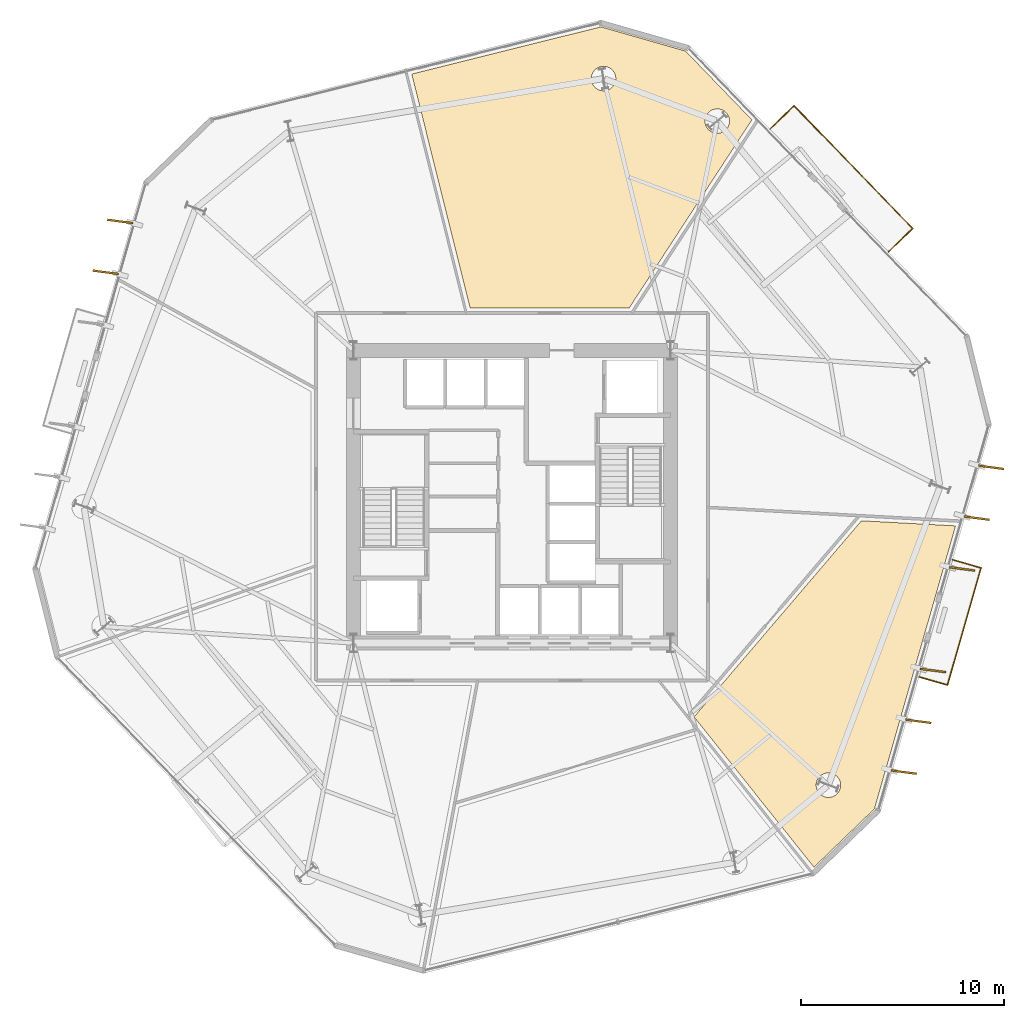
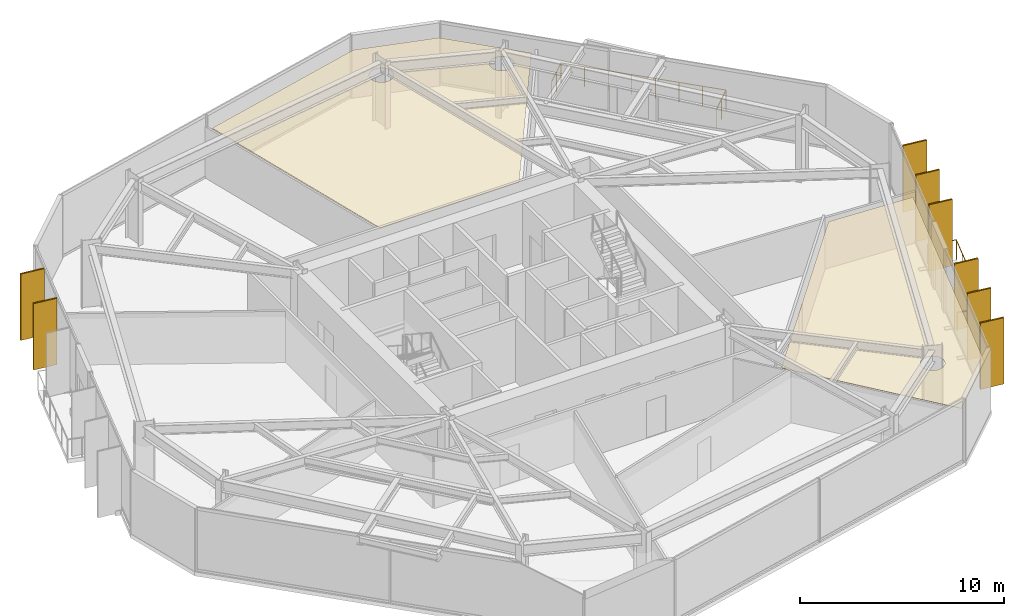
# One storey, part 10 of 10: 10 coverings, 8 shading devices, 2 railings.
"""IFC4 building model written with IfcOpenShell, lengths in metres."""

from ifc_helpers import new_model, si_unit, direction, frame, origin, origin_2d, place, context, subcontext, project, spatial, polyline, rectangle, circle, outline, extrude, material, layer, layer_set, type_object, element, save


model = new_model("IFC4")

# Units and contexts
model_context = context("Model", 3, precision=1e-05, world=origin(), true_north=direction((0.0, 1.0)))
body_context = subcontext(model_context, "Body", "Model", "MODEL_VIEW")
ifc_project = project(units=[si_unit("LENGTHUNIT", "METRE"), si_unit("AREAUNIT", "SQUARE_METRE"), si_unit("VOLUMEUNIT", "CUBIC_METRE"), si_unit("PLANEANGLEUNIT", "RADIAN"), si_unit("MASSUNIT", "GRAM", prefix="KILO")], contexts=[model_context])

# Site, building, storey
site_placement = place(None, origin())
site = spatial("IfcSite", under=ifc_project, at=site_placement, CompositionType="ELEMENT")
building_placement = place(site_placement, origin())
building = spatial("IfcBuilding", under=site, at=building_placement, Name="Kranzbogen Civic Tower", CompositionType="ELEMENT")
storey_placement = place(building_placement, frame((0.0, 0.0, 76.0)))
storey = spatial("IfcBuildingStorey", under=building, at=storey_placement, Name="L18", CompositionType="ELEMENT", Elevation=76.0)

# Coverings
ifc_material_1 = material(Name="Pale Anodised Aluminium", Category="aluminium")
ifc_layer_1 = layer(ifc_material_1, 0.02490234375, Name="Pale Anodised Aluminium")
ifc_layer_set_1 = layer_set([ifc_layer_1], Name="Pale Anodised Aluminium")
covering_type_1 = type_object("IfcCoveringType", Name="Anodised Aluminium Vertical Fin Cladding 25 mm", PredefinedType="CLADDING", material=ifc_layer_set_1)
for number, where, z_axis, x_axis, name in (
    (1, (5.718994140625, 38.547119140625, -0.139892578125), (0.0, 0.0, 1.0), (-0.991553862811, 0.129695555608, 0.0), "L18 vertical fin pale-metal cladding F3-1"),
    (2, (5.001953125, 36.047119140625, -0.139892578125), (0.0, 0.0, 1.0), (-0.991553862811, 0.129695555608, 0.0), "L18 vertical fin pale-metal cladding F3-2"),
    (3, (44.281005859375, 11.452880859375, -0.139892578125), (0.0, 0.0, 1.0), (0.991553862811, -0.129695555608, 0.0), "L18 vertical fin pale-metal cladding F6-1"),
    (4, (44.998046875, 13.952880859375, -0.139892578125), (0.0, 0.0, 1.0), (0.991553862811, -0.129695555608, 0.0), "L18 vertical fin pale-metal cladding F6-2"),
    (5, (45.714111328125, 16.451904296875, -0.139892578125), (0.0, 0.0, 1.0), (0.991553862811, -0.129695555608, 0.0), "L18 vertical fin pale-metal cladding F6-3"),
    (6, (47.14794921875, 21.449951171875, -0.139892578125), (0.0, 0.0, 1.0), (0.991553862811, -0.129695555608, 0.0), "L18 vertical fin pale-metal cladding F6-5"),
    (7, (47.864990234375, 23.949951171875, -0.139892578125), (0.0, 0.0, 1.0), (0.991553862811, -0.129695555608, 0.0), "L18 vertical fin pale-metal cladding F6-6"),
    (8, (48.5810546875, 26.448974609375, -0.139892578125), (0.0, 0.0, 1.0), (0.991553862811, -0.129695555608, 0.0), "L18 vertical fin pale-metal cladding F6-7"),
):
    element("IfcCovering", number, at=place(storey_placement, frame(where, z_axis=z_axis, x_axis=x_axis)), inside=storey, type_object=covering_type_1, Name=name, PredefinedType="CLADDING", context=body_context, shape_type="SweptSolid", body=[
        extrude(rectangle(XDim=1.25, YDim=0.10009765625, at=origin_2d()), origin(), (0.0, 0.0, 1.0), 3.9599609375),
    ])

# Shading devices
ifc_material_2 = material(Name="Anodised Bronze Aluminium", Category="aluminium")
shading_device_type = type_object("IfcShadingDeviceType", Name="Anodised Bronze Vertical Facade Fin 1250x80", PredefinedType="USERDEFINED", material=ifc_material_2)
for number, where, z_axis, x_axis, name in (
    (9, (5.718994140625, 38.547119140625, -0.139892578125), (0.0, 0.0, 1.0), (-0.991553862811, 0.129695555608, 0.0), "L18 vertical exterior shading fin F3-1"),
    (10, (5.001953125, 36.047119140625, -0.139892578125), (0.0, 0.0, 1.0), (-0.991553862811, 0.129695555608, 0.0), "L18 vertical exterior shading fin F3-2"),
    (11, (44.281005859375, 11.452880859375, -0.139892578125), (0.0, 0.0, 1.0), (0.991553862811, -0.129695555608, 0.0), "L18 vertical exterior shading fin F6-1"),
    (12, (44.998046875, 13.952880859375, -0.139892578125), (0.0, 0.0, 1.0), (0.991553862811, -0.129695555608, 0.0), "L18 vertical exterior shading fin F6-2"),
    (13, (45.714111328125, 16.451904296875, -0.139892578125), (0.0, 0.0, 1.0), (0.991553862811, -0.129695555608, 0.0), "L18 vertical exterior shading fin F6-3"),
    (14, (47.14794921875, 21.449951171875, -0.139892578125), (0.0, 0.0, 1.0), (0.991553862811, -0.129695555608, 0.0), "L18 vertical exterior shading fin F6-5"),
    (15, (47.864990234375, 23.949951171875, -0.139892578125), (0.0, 0.0, 1.0), (0.991553862811, -0.129695555608, 0.0), "L18 vertical exterior shading fin F6-6"),
    (16, (48.5810546875, 26.448974609375, -0.139892578125), (0.0, 0.0, 1.0), (0.991553862811, -0.129695555608, 0.0), "L18 vertical exterior shading fin F6-7"),
):
    element("IfcShadingDevice", number, at=place(storey_placement, frame(where, z_axis=z_axis, x_axis=x_axis)), inside=storey, type_object=shading_device_type, Name=name, ObjectType="FIN", PredefinedType="USERDEFINED", context=body_context, shape_type="SweptSolid", body=[
        extrude(rectangle(XDim=1.25, YDim=0.080078125, at=origin_2d()), origin(), (0.0, 0.0, 1.0), 3.9599609375),
    ])

# Railings
railing_type = type_object("IfcRailingType", Name="Cantilevered Balcony Glass and Bronze Balustrade 1200", PredefinedType="BALUSTRADE", material=ifc_material_2)
railing_1_placement = place(storey_placement, frame((45.031982421875, 16.135009765625, 0.0)))
element("IfcRailing", 17, at=railing_1_placement, inside=storey, type_object=railing_type, Name="L18 exterior terrace balustrade L18-TB1", PredefinedType="BALUSTRADE", context=body_context, shape_type="SweptSolid", body=[
    extrude(circle(Radius=0.02392578125, at=origin_2d()), frame((0.0, 0.0, 1.17578125), z_axis=(0.961231187892, -0.275743727805, 0.0), x_axis=(0.275743727805, 0.961231187892, 0.0)), (0.0, 0.0, 1.0), 1.4501953125),
    extrude(circle(Radius=0.02392578125, at=origin_2d()), frame((1.39404296875, -0.39990234375, 1.17578125), z_axis=(0.275704560134, 0.961242422868, 0.0), x_axis=(-0.961242422868, 0.275704560134, 0.0)), (0.0, 0.0, 1.0), 5.999267578125),
    extrude(circle(Radius=0.02392578125, at=origin_2d()), frame((3.048095703125, 5.366943359375, 1.17578125), z_axis=(-0.961186557825, 0.275899258892, 0.0), x_axis=(-0.275899258892, -0.961186557825, 0.0)), (0.0, 0.0, 1.0), 1.450439453125),
    extrude(circle(Radius=0.02099609375, at=origin_2d()), origin(), (0.0, 0.0, 1.0), 1.15185546875),
    extrude(circle(Radius=0.02099609375, at=origin_2d()), frame((0.697021484375, -0.199951171875, 0.0)), (0.0, 0.0, 1.0), 1.15185546875),
    extrude(circle(Radius=0.02099609375, at=origin_2d()), frame((1.39404296875, -0.39990234375, 0.0)), (0.0, 0.0, 1.0), 1.15185546875),
    extrude(circle(Radius=0.02099609375, at=origin_2d()), frame((1.724853515625, 0.75341796875, 0.0)), (0.0, 0.0, 1.0), 1.15185546875),
    extrude(circle(Radius=0.02099609375, at=origin_2d()), frame((2.0556640625, 1.90673828125, 0.0)), (0.0, 0.0, 1.0), 1.15185546875),
    extrude(circle(Radius=0.02099609375, at=origin_2d()), frame((2.386474609375, 3.060302734375, 0.0)), (0.0, 0.0, 1.0), 1.15185546875),
    extrude(circle(Radius=0.02099609375, at=origin_2d()), frame((2.71728515625, 4.213623046875, 0.0)), (0.0, 0.0, 1.0), 1.15185546875),
    extrude(circle(Radius=0.02099609375, at=origin_2d()), frame((3.048095703125, 5.366943359375, 0.0)), (0.0, 0.0, 1.0), 1.15185546875),
    extrude(circle(Radius=0.02099609375, at=origin_2d()), frame((2.35107421875, 5.56689453125, 0.0)), (0.0, 0.0, 1.0), 1.15185546875),
    extrude(circle(Radius=0.02099609375, at=origin_2d()), frame((1.654052734375, 5.76708984375, 0.0)), (0.0, 0.0, 1.0), 1.15185546875),
])
railing_2_placement = place(storey_placement, frame((43.527099609375, 37.052978515625, 0.0)))
element("IfcRailing", 18, at=railing_2_placement, inside=storey, type_object=railing_type, Name="L18 exterior terrace balustrade L18-ST", PredefinedType="BALUSTRADE", context=body_context, shape_type="SweptSolid", body=[
    extrude(circle(Radius=0.02392578125, at=origin_2d()), frame((0.0, 0.0, 1.17578125), z_axis=(0.719426956389, 0.694568106395, 0.0), x_axis=(-0.694568106395, 0.719426956389, 0.0)), (0.0, 0.0, 1.0), 1.64990234375),
    extrude(circle(Radius=0.02392578125, at=origin_2d()), frame((1.18701171875, 1.14599609375, 1.17578125), z_axis=(-0.694690467827, 0.719308802886, 0.0), x_axis=(-0.719308802886, -0.694690467827, 0.0)), (0.0, 0.0, 1.0), 8.399658203125),
    extrude(circle(Radius=0.02392578125, at=origin_2d()), frame((-4.648193359375, 7.18798828125, 1.17578125), z_axis=(-0.719426956389, -0.694568106395, 0.0), x_axis=(0.694568106395, -0.719426956389, 0.0)), (0.0, 0.0, 1.0), 1.64990234375),
    extrude(circle(Radius=0.02099609375, at=origin_2d()), origin(), (0.0, 0.0, 1.0), 1.15185546875),
    extrude(circle(Radius=0.02099609375, at=origin_2d()), frame((0.593505859375, 0.572998046875, 0.0)), (0.0, 0.0, 1.0), 1.15185546875),
    extrude(circle(Radius=0.02099609375, at=origin_2d()), frame((1.18701171875, 1.14599609375, 0.0)), (0.0, 0.0, 1.0), 1.15185546875),
    extrude(circle(Radius=0.02099609375, at=origin_2d()), frame((0.353515625, 2.009033203125, 0.0)), (0.0, 0.0, 1.0), 1.15185546875),
    extrude(circle(Radius=0.02099609375, at=origin_2d()), frame((-0.480224609375, 2.872314453125, 0.0)), (0.0, 0.0, 1.0), 1.15185546875),
    extrude(circle(Radius=0.02099609375, at=origin_2d()), frame((-1.313720703125, 3.7353515625, 0.0)), (0.0, 0.0, 1.0), 1.15185546875),
    extrude(circle(Radius=0.02099609375, at=origin_2d()), frame((-2.1474609375, 4.5986328125, 0.0)), (0.0, 0.0, 1.0), 1.15185546875),
    extrude(circle(Radius=0.02099609375, at=origin_2d()), frame((-2.98095703125, 5.461669921875, 0.0)), (0.0, 0.0, 1.0), 1.15185546875),
    extrude(circle(Radius=0.02099609375, at=origin_2d()), frame((-3.814697265625, 6.324951171875, 0.0)), (0.0, 0.0, 1.0), 1.15185546875),
    extrude(circle(Radius=0.02099609375, at=origin_2d()), frame((-4.648193359375, 7.18798828125, 0.0)), (0.0, 0.0, 1.0), 1.15185546875),
    extrude(circle(Radius=0.02099609375, at=origin_2d()), frame((-5.24169921875, 6.614990234375, 0.0)), (0.0, 0.0, 1.0), 1.15185546875),
    extrude(circle(Radius=0.02099609375, at=origin_2d()), frame((-5.835205078125, 6.0419921875, 0.0)), (0.0, 0.0, 1.0), 1.15185546875),
])

# Coverings
ifc_material_3 = material(Name="Perforated Acoustic Gypsum Ceiling")
ifc_layer_2 = layer(ifc_material_3, 0.02490234375, Name="Perforated Acoustic Gypsum Ceiling")
ifc_layer_set_2 = layer_set([ifc_layer_2], Name="Perforated Acoustic Gypsum Ceiling")
covering_type_2 = type_object("IfcCoveringType", Name="Perforated Acoustic Mineral Ceiling Tile 25 mm", PredefinedType="CEILING", material=ifc_layer_set_2)
covering_1_placement = place(storey_placement, frame((0.0, 0.0, 2.89990234375)))
element("IfcCovering", 19, at=covering_1_placement, inside=storey, type_object=covering_type_2, Name="L18 Ministerial Policy Office acoustic ceiling", PredefinedType="CEILING", context=body_context, shape_type="SweptSolid", body=[
    extrude(outline(polyline([(33.95703125, 14.16796875), (42.194091796875, 23.820068359375), (46.825927734375, 23.568115234375), (42.833984375, 9.64599609375), (39.85791015625, 6.77294921875), (33.95703125, 14.16796875)]), holes=[polyline([(41.123046875, 10.5810546875), (41.097900390625, 10.527099609375), (41.068115234375, 10.47705078125), (41.031982421875, 10.428955078125), (40.992919921875, 10.385009765625), (40.948974609375, 10.345947265625), (40.90087890625, 10.31005859375), (40.85107421875, 10.280029296875), (40.797119140625, 10.2548828125), (40.741943359375, 10.235107421875), (40.68408203125, 10.220947265625), (40.6259765625, 10.2119140625), (40.56689453125, 10.208984375), (40.508056640625, 10.2119140625), (40.449951171875, 10.220947265625), (40.39208984375, 10.235107421875), (40.3369140625, 10.2548828125), (40.282958984375, 10.280029296875), (40.23291015625, 10.31005859375), (40.18505859375, 10.345947265625), (40.14111328125, 10.385009765625), (40.10205078125, 10.428955078125), (40.06591796875, 10.47705078125), (40.035888671875, 10.527099609375), (40.010986328125, 10.5810546875), (39.990966796875, 10.635986328125), (39.97705078125, 10.694091796875), (39.968017578125, 10.751953125), (39.965087890625, 10.81103515625), (39.968017578125, 10.8701171875), (39.97705078125, 10.927978515625), (39.990966796875, 10.986083984375), (40.010986328125, 11.041015625), (40.035888671875, 11.094970703125), (40.06591796875, 11.14501953125), (40.10205078125, 11.193115234375), (40.14111328125, 11.237060546875), (40.18505859375, 11.27587890625), (40.23291015625, 11.31201171875), (40.282958984375, 11.342041015625), (40.3369140625, 11.366943359375), (40.39208984375, 11.386962890625), (40.449951171875, 11.40087890625), (40.508056640625, 11.409912109375), (40.56689453125, 11.4130859375), (40.6259765625, 11.409912109375), (40.68408203125, 11.40087890625), (40.741943359375, 11.386962890625), (40.797119140625, 11.366943359375), (40.85107421875, 11.342041015625), (40.90087890625, 11.31201171875), (40.948974609375, 11.27587890625), (40.992919921875, 11.237060546875), (41.031982421875, 11.193115234375), (41.068115234375, 11.14501953125), (41.097900390625, 11.094970703125), (41.123046875, 11.041015625), (41.14306640625, 10.986083984375), (41.156982421875, 10.927978515625), (41.166015625, 10.8701171875), (41.1689453125, 10.81103515625), (41.166015625, 10.751953125), (41.156982421875, 10.694091796875), (41.14306640625, 10.635986328125), (41.123046875, 10.5810546875)])]), origin(), (0.0, 0.0, 1.0), 0.025146484375),
])
covering_2_placement = place(storey_placement, frame((0.0, 0.0, 2.89990234375)))
element("IfcCovering", 20, at=covering_2_placement, inside=storey, type_object=covering_type_2, Name="L18 Citizen Services Kiosk acoustic ceiling", PredefinedType="CEILING", context=body_context, shape_type="SweptSolid", body=[
    extrude(outline(polyline([(33.5380859375, 46.928955078125), (36.803955078125, 43.547119140625), (30.77001953125, 34.294921875), (22.93505859375, 34.294921875), (20.06689453125, 45.799072265625), (29.3798828125, 48.1220703125), (33.5380859375, 46.928955078125)]), holes=[polyline([(35.655029296875, 43.25390625), (35.6298828125, 43.199951171875), (35.60009765625, 43.14990234375), (35.56396484375, 43.10205078125), (35.52490234375, 43.05810546875), (35.48095703125, 43.01904296875), (35.43310546875, 42.98291015625), (35.383056640625, 42.952880859375), (35.3291015625, 42.927978515625), (35.27392578125, 42.907958984375), (35.216064453125, 42.89404296875), (35.157958984375, 42.885009765625), (35.09912109375, 42.882080078125), (35.0400390625, 42.885009765625), (34.98193359375, 42.89404296875), (34.924072265625, 42.907958984375), (34.868896484375, 42.927978515625), (34.81494140625, 42.952880859375), (34.764892578125, 42.98291015625), (34.717041015625, 43.01904296875), (34.673095703125, 43.05810546875), (34.634033203125, 43.10205078125), (34.597900390625, 43.14990234375), (34.568115234375, 43.199951171875), (34.54296875, 43.25390625), (34.52294921875, 43.30908203125), (34.509033203125, 43.366943359375), (34.5, 43.425048828125), (34.4970703125, 43.48388671875), (34.5, 43.54296875), (34.509033203125, 43.60107421875), (34.52294921875, 43.658935546875), (34.54296875, 43.714111328125), (34.568115234375, 43.76806640625), (34.597900390625, 43.818115234375), (34.634033203125, 43.865966796875), (34.673095703125, 43.909912109375), (34.717041015625, 43.948974609375), (34.764892578125, 43.985107421875), (34.81494140625, 44.014892578125), (34.868896484375, 44.0400390625), (34.924072265625, 44.06005859375), (34.98193359375, 44.073974609375), (35.0400390625, 44.0830078125), (35.09912109375, 44.0859375), (35.157958984375, 44.0830078125), (35.216064453125, 44.073974609375), (35.27392578125, 44.06005859375), (35.3291015625, 44.0400390625), (35.383056640625, 44.014892578125), (35.43310546875, 43.985107421875), (35.48095703125, 43.948974609375), (35.52490234375, 43.909912109375), (35.56396484375, 43.865966796875), (35.60009765625, 43.818115234375), (35.6298828125, 43.76806640625), (35.655029296875, 43.714111328125), (35.675048828125, 43.658935546875), (35.68896484375, 43.60107421875), (35.697998046875, 43.54296875), (35.700927734375, 43.48388671875), (35.697998046875, 43.425048828125), (35.68896484375, 43.366943359375), (35.675048828125, 43.30908203125), (35.655029296875, 43.25390625)]), polyline([(30.06103515625, 45.345947265625), (30.035888671875, 45.2919921875), (30.006103515625, 45.241943359375), (29.969970703125, 45.194091796875), (29.930908203125, 45.14990234375), (29.886962890625, 45.111083984375), (29.839111328125, 45.074951171875), (29.7890625, 45.044921875), (29.735107421875, 45.02001953125), (29.679931640625, 45.0), (29.6220703125, 44.986083984375), (29.56396484375, 44.97705078125), (29.5048828125, 44.97412109375), (29.446044921875, 44.97705078125), (29.387939453125, 44.986083984375), (29.330078125, 45.0), (29.27490234375, 45.02001953125), (29.220947265625, 45.044921875), (29.1708984375, 45.074951171875), (29.123046875, 45.111083984375), (29.0791015625, 45.14990234375), (29.0400390625, 45.194091796875), (29.00390625, 45.241943359375), (28.97412109375, 45.2919921875), (28.948974609375, 45.345947265625), (28.928955078125, 45.40087890625), (28.9150390625, 45.458984375), (28.906005859375, 45.51708984375), (28.903076171875, 45.575927734375), (28.906005859375, 45.635009765625), (28.9150390625, 45.693115234375), (28.928955078125, 45.7509765625), (28.948974609375, 45.805908203125), (28.97412109375, 45.860107421875), (29.00390625, 45.909912109375), (29.0400390625, 45.9580078125), (29.0791015625, 46.001953125), (29.123046875, 46.041015625), (29.1708984375, 46.076904296875), (29.220947265625, 46.10693359375), (29.27490234375, 46.132080078125), (29.330078125, 46.152099609375), (29.387939453125, 46.166015625), (29.446044921875, 46.175048828125), (29.5048828125, 46.177978515625), (29.56396484375, 46.175048828125), (29.6220703125, 46.166015625), (29.679931640625, 46.152099609375), (29.735107421875, 46.132080078125), (29.7890625, 46.10693359375), (29.839111328125, 46.076904296875), (29.886962890625, 46.041015625), (29.930908203125, 46.001953125), (29.969970703125, 45.9580078125), (30.006103515625, 45.909912109375), (30.035888671875, 45.860107421875), (30.06103515625, 45.805908203125), (30.0810546875, 45.7509765625), (30.094970703125, 45.693115234375), (30.10400390625, 45.635009765625), (30.10693359375, 45.575927734375), (30.10400390625, 45.51708984375), (30.094970703125, 45.458984375), (30.0810546875, 45.40087890625), (30.06103515625, 45.345947265625)])]), origin(), (0.0, 0.0, 1.0), 0.025146484375),
])

save(model, "model.ifc")
